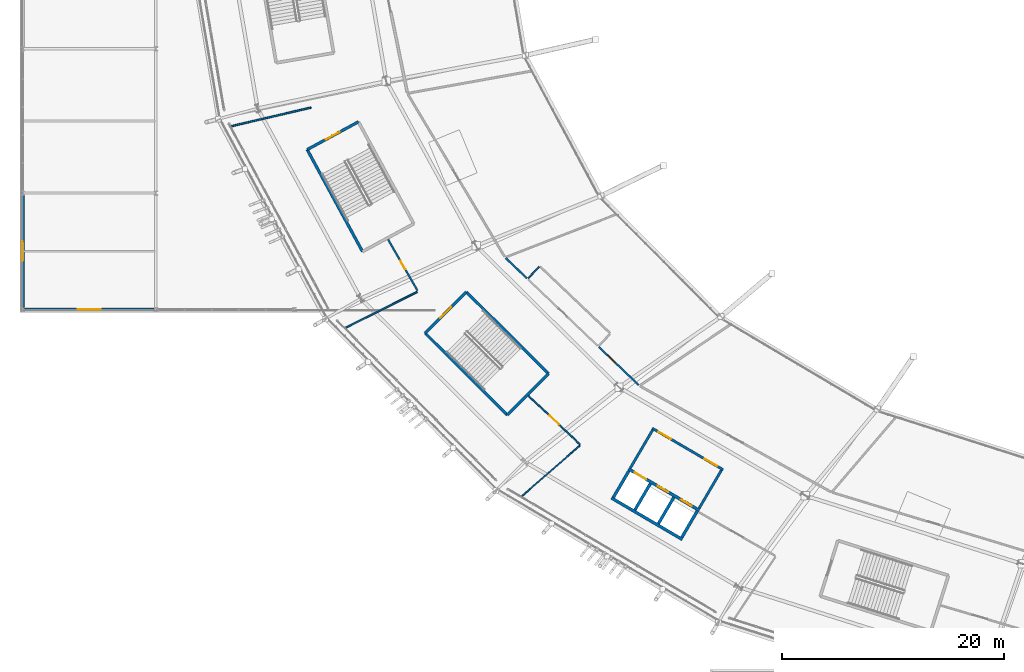
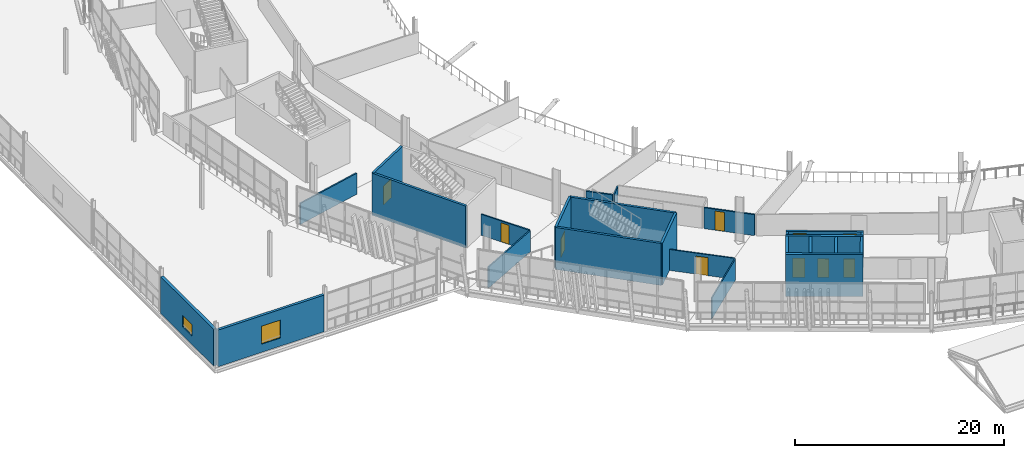
# One storey, part 115 of 168: 25 walls, 10 doors, 2 windows, 12 openings.
"""IFC4 building model written with IfcOpenShell, lengths in metres."""

import ifcopenshell
import ifcopenshell.guid

model = None  # the IFC model being written
_history = None  # IfcOwnerHistory: only IFC2X3 demands one
_inside = {}  # id of a spatial element -> (the spatial element, [elements in it])
_under = {}  # id of a project, library or spatial element -> (it, [spatial elements below it])
_declared = {}  # id of a project -> (the project, [libraries it declares])
_typed = {}  # id of a type object -> (the type object, [elements of that type])
_made_of = {}  # id of a material, layer set ... -> (it, [elements and type objects made of it])


def new_model(schema):
    """Start an empty IFC model of exactly this schema.

    Asked for "IFC4X3", IfcOpenShell would pick the latest addendum, in which some entities
    have other attributes; the version numbers below select the first issue.
    IFC2X3 requires an IfcOwnerHistory on every rooted entity: one is made here for all.
    """
    global model, _history
    if schema == "IFC4X3":
        model = ifcopenshell.file(schema_version=(4, 3, 0, 0))
    else:
        model = ifcopenshell.file(schema=schema)
    _inside.clear()
    _under.clear()
    _declared.clear()
    _typed.clear()
    _made_of.clear()
    _history = None
    if model.schema == "IFC2X3":
        org = make("IfcOrganization", Name="unknown")
        user = make(
            "IfcPersonAndOrganization",
            ThePerson=make("IfcPerson", FamilyName="unknown"),
            TheOrganization=org,
        )
        app = make(
            "IfcApplication",
            ApplicationDeveloper=org,
            Version="unknown",
            ApplicationFullName="unknown",
            ApplicationIdentifier="unknown",
        )
        _history = make(
            "IfcOwnerHistory",
            OwningUser=user,
            OwningApplication=app,
            ChangeAction="ADDED",
            CreationDate=0,
        )
    return model


def make(cls, **values):
    """One entity of the class cls with the attributes given. An attribute that is None is left unset."""
    return model.create_entity(
        cls, **{name: value for name, value in values.items() if value is not None}
    )


def rooted(cls, **values):
    """An entity with a GlobalId (a new one), such as an element, a storey or a relation."""
    return make(cls, GlobalId=ifcopenshell.guid.new(), OwnerHistory=_history, **values)


def si_unit(unit_type, name, prefix=None):
    """IfcSIUnit, for example si_unit("LENGTHUNIT", "METRE", prefix="MILLI")."""
    return make("IfcSIUnit", UnitType=unit_type, Prefix=prefix, Name=name)


def assignment(units):
    """IfcUnitAssignment: the units of a project."""
    return None if units is None else make("IfcUnitAssignment", Units=units)


def point(xyz):
    """IfcCartesianPoint."""
    return None if xyz is None else make("IfcCartesianPoint", Coordinates=xyz)


def direction(xyz):
    """IfcDirection."""
    return None if xyz is None else make("IfcDirection", DirectionRatios=xyz)


def frame(location, z_axis=None, x_axis=None):
    """IfcAxis2Placement3D, a coordinate frame: its origin and axes. An axis left out is left unset."""
    return make(
        "IfcAxis2Placement3D",
        Location=point(location),
        Axis=direction(z_axis),
        RefDirection=direction(x_axis),
    )


def frame_2d(location, x_axis=None):
    """IfcAxis2Placement2D, a coordinate frame in the plane: its origin and x axis."""
    return make(
        "IfcAxis2Placement2D", Location=point(location), RefDirection=direction(x_axis)
    )


def origin():
    """The frame at (0, 0, 0) with its axes left unset."""
    return frame((0.0, 0.0, 0.0))


def place(relative_to, where):
    """IfcLocalPlacement: puts the frame where relative to a parent placement (None: the world)."""
    return make(
        "IfcLocalPlacement", PlacementRelTo=relative_to, RelativePlacement=where
    )


def context(
    kind, dimensions, precision=None, world=None, true_north=None, identifier=None
):
    """IfcGeometricRepresentationContext, for example the 3D "Model" context."""
    return make(
        "IfcGeometricRepresentationContext",
        ContextIdentifier=identifier,
        ContextType=kind,
        CoordinateSpaceDimension=dimensions,
        Precision=precision,
        WorldCoordinateSystem=world,
        TrueNorth=true_north,
    )


def subcontext(parent, identifier, kind, view, scale=None):
    """IfcGeometricRepresentationSubContext, for example "Body" below "Model"."""
    return make(
        "IfcGeometricRepresentationSubContext",
        ContextIdentifier=identifier,
        ContextType=kind,
        ParentContext=parent,
        TargetScale=scale,
        TargetView=view,
    )


def project(units=None, contexts=None):
    """IfcProject with its units and contexts."""
    return rooted(
        "IfcProject",
        Name="project",
        RepresentationContexts=contexts,
        UnitsInContext=assignment(units),
    )


def spatial(cls, under=None, at=None, **own):
    """A site, building, storey or space (cls), placed at a placement, below another one or the project."""
    s = rooted(cls, ObjectPlacement=at, **own)
    if under is not None:
        _under.setdefault(under.id(), (under, []))[1].append(s)
    return s


def profile(cls, at=None, kind="AREA", **sizes):
    """A parametric profile (cls). Its sizes go by their IFC names, for example OverallWidth=200.0."""
    return make(cls, ProfileType=kind, Position=at, **sizes)


def rectangle(**sizes):
    """IfcRectangleProfileDef."""
    return profile("IfcRectangleProfileDef", **sizes)


def extrude(swept, where, along, depth):
    """IfcExtrudedAreaSolid: the profile swept, set in the frame where, extruded along a direction by depth."""
    return make(
        "IfcExtrudedAreaSolid",
        SweptArea=swept,
        Position=where,
        ExtrudedDirection=direction(along),
        Depth=depth,
    )


def shape(context_of_items, identifier, shape_type, items):
    """IfcShapeRepresentation: the items that make up one representation, for example the "Body"."""
    return make(
        "IfcShapeRepresentation",
        ContextOfItems=context_of_items,
        RepresentationIdentifier=identifier,
        RepresentationType=shape_type,
        Items=items,
    )


def material(Name=None, Category=None):
    """IfcMaterial."""
    return make("IfcMaterial", Name=Name, Category=Category)


def layer(
    of_material, thickness, ventilated=None, Name=None, Category=None, Priority=None
):
    """IfcMaterialLayer: one layer of a wall or slab, of a material (None: an air gap)."""
    return make(
        "IfcMaterialLayer",
        Material=of_material,
        LayerThickness=thickness,
        IsVentilated=ventilated,
        Name=Name,
        Category=Category,
        Priority=Priority,
    )


def layer_set(layers, Name=None):
    """IfcMaterialLayerSet."""
    return make("IfcMaterialLayerSet", MaterialLayers=layers, LayerSetName=Name)


def made_of(thing, what):
    """Note that an element or type object is made of a material, layer set ...; save() writes the relation."""
    if what is not None:
        _made_of.setdefault(what.id(), (what, []))[1].append(thing)
    return thing


def type_object(cls, material=None, **own):
    """A type object (cls), such as IfcWallType, which elements share."""
    return made_of(rooted(cls, **own), material)


def element(
    cls,
    number,
    at=None,
    inside=None,
    cuts=None,
    type_object=None,
    material=None,
    context=None,
    identifier="Body",
    shape_type=None,
    held_by="IfcProductDefinitionShape",
    body=None,
    shapes=None,
    **own,
):
    """One element of the class cls, such as IfcWall. Its Tag is "e" and its number.

    at: its placement. inside: the storey or other place that contains it. cuts: it is an
    opening in that element (IfcRelVoidsElement). A single representation is given by context,
    identifier, shape_type and body (its items); several are given by shapes. held_by: the class
    of the entity that holds the representations. save() writes the other relations.
    """
    e = rooted(cls, Tag="e%d" % number, ObjectPlacement=at, **own)
    if body is not None:
        shapes = [shape(context, identifier, shape_type, body)]
    if shapes is not None:
        e.Representation = make(held_by, Representations=shapes)
    if inside is not None:
        _inside.setdefault(inside.id(), (inside, []))[1].append(e)
    if cuts is not None:
        rooted(
            "IfcRelVoidsElement", RelatingBuildingElement=cuts, RelatedOpeningElement=e
        )
    if type_object is not None:
        _typed.setdefault(type_object.id(), (type_object, []))[1].append(e)
    return made_of(e, material)


def fill(opening, filler):
    """IfcRelFillsElement: the door or window that sits in an opening."""
    return rooted(
        "IfcRelFillsElement",
        RelatingOpeningElement=opening,
        RelatedBuildingElement=filler,
    )


def aggregate(whole, parts):
    """IfcRelAggregates: a whole, such as a stair, and the parts it consists of."""
    return rooted("IfcRelAggregates", RelatingObject=whole, RelatedObjects=parts)


def save(model, path):
    """Write the relations noted so far, then the file.

    IfcRelAggregates (storeys below a building ...), IfcRelContainedInSpatialStructure (elements
    in a storey), IfcRelDefinesByType, IfcRelAssociatesMaterial and IfcRelDeclares: one each for
    every whole, place, type object, material and project.
    """
    for whole, parts in _under.values():
        aggregate(whole, parts)
    for where, things in _inside.values():
        rooted(
            "IfcRelContainedInSpatialStructure",
            RelatedElements=things,
            RelatingStructure=where,
        )
    for kind, things in _typed.values():
        rooted("IfcRelDefinesByType", RelatedObjects=things, RelatingType=kind)
    for what, things in _made_of.values():
        rooted("IfcRelAssociatesMaterial", RelatedObjects=things, RelatingMaterial=what)
    for by, libraries in _declared.values():
        rooted("IfcRelDeclares", RelatingContext=by, RelatedDefinitions=libraries)
    model.write(path)


model = new_model("IFC4")

# Units and contexts
model_context = context("Model", 3, precision=1e-05, world=origin(), true_north=direction((0.0, 1.0)))
body_context = subcontext(model_context, "Body", "Model", "MODEL_VIEW")
ifc_project = project(units=[si_unit("LENGTHUNIT", "METRE"), si_unit("AREAUNIT", "SQUARE_METRE"), si_unit("VOLUMEUNIT", "CUBIC_METRE"), si_unit("PLANEANGLEUNIT", "RADIAN"), si_unit("MASSUNIT", "GRAM", prefix="KILO")], contexts=[model_context])

# Site, building, storey
site_placement = place(None, origin())
site = spatial("IfcSite", under=ifc_project, at=site_placement, CompositionType="ELEMENT")
building_placement = place(site_placement, origin())
building = spatial("IfcBuilding", under=site, at=building_placement, Name="Zlatoyarsky Gate Stadium", CompositionType="ELEMENT")
storey_placement = place(building_placement, frame((0.0, 0.0, 15.60009765625)))
storey = spatial("IfcBuildingStorey", under=building, at=storey_placement, Name="L03", CompositionType="ELEMENT", Elevation=15.60009765625)

# Walls
ifc_material_1 = material(Name="Double-stud acoustic gypsum partition", Category="gypsum")
ifc_layer_1 = layer(ifc_material_1, 0.169921875)
ifc_layer_set_1 = layer_set([ifc_layer_1], Name="Double-stud acoustic gypsum partition")
wall_type_1 = type_object("IfcWallType", Name="ACOUSTIC BROADCAST STUDIO WALL 170", PredefinedType="PARTITIONING", material=ifc_layer_set_1)
wall_1_placement = place(storey_placement, frame((43.517578125, 48.14501953125, 0.0), z_axis=(0.0, 0.0, 1.0), x_axis=(0.723347113938, -0.690484578218, 0.0)))
element("IfcWall", 1, at=wall_1_placement, inside=storey, type_object=wall_type_1, Name="L03 interior partition PRT-L03-WCL-14", PredefinedType="PARTITIONING", context=body_context, shape_type="SweptSolid", body=[
    extrude(rectangle(XDim=2.6298828125, YDim=0.169921875, at=frame_2d((1.31494140625, 0.0))), origin(), (0.0, 0.0, 1.0), 2.449951171875),
])
ifc_material_2 = material(Name="Moisture-resistant masonry partition", Category="masonry")
ifc_layer_2 = layer(ifc_material_2, 0.139892578125)
ifc_layer_set_2 = layer_set([ifc_layer_2], Name="Moisture-resistant masonry partition")
wall_type_2 = type_object("IfcWallType", Name="ATHLETE CHANGING BLOCK PARTITION 140", PredefinedType="PARTITIONING", material=ifc_layer_set_2)
wall_2_placement = place(storey_placement, frame((35.537841796875, 45.098876953125, 0.0), z_axis=(0.0, 0.0, 1.0), x_axis=(-0.893748311222, -0.448568786463, 0.0)))
element("IfcWall", 2, at=wall_2_placement, inside=storey, type_object=wall_type_2, Name="L03 interior partition PRT-L03-ORD-13R", PredefinedType="PARTITIONING", context=body_context, shape_type="SweptSolid", body=[
    extrude(rectangle(XDim=7.203369140625, YDim=0.139892578125, at=frame_2d((3.6015625, 0.0))), origin(), (0.0, 0.0, 1.0), 2.449951171875),
])
ifc_material_3 = material(Name="Metal-stud gypsum partition", Category="gypsum")
ifc_layer_3 = layer(ifc_material_3, 0.14990234375)
ifc_layer_set_3 = layer_set([ifc_layer_3], Name="Metal-stud gypsum partition")
wall_type_3 = type_object("IfcWallType", Name="CONCOURSE CORRIDOR PARTITION 150", PredefinedType="PARTITIONING", material=ifc_layer_set_3)
wall_3_placement = place(storey_placement, frame((25.98291015625, 61.701416015625, 0.0), z_axis=(0.0, 0.0, 1.0), x_axis=(-0.973947343216, -0.226774276855, 0.0)))
element("IfcWall", 3, at=wall_3_placement, inside=storey, type_object=wall_type_3, Name="L03 interior partition PRT-L03-ORD-13L", PredefinedType="PARTITIONING", context=body_context, shape_type="SweptSolid", body=[
    extrude(rectangle(XDim=7.37353515625, YDim=0.14990234375, at=frame_2d((3.686767578125, 0.0))), origin(), (0.0, 0.0, 1.0), 2.449951171875),
])
ifc_material_4 = material(Name="Concrete C40/50", Category="concrete")
ifc_layer_4 = layer(ifc_material_4, 0.27001953125)
ifc_layer_set_4 = layer_set([ifc_layer_4], Name="Concrete C40/50")
wall_type_4 = type_object("IfcWallType", Name="CONCRETE LIFT SHAFT SHEAR WALL 270", PredefinedType="SHEAR", material=ifc_layer_set_4)
wall_4_placement = place(storey_placement, frame((53.037353515625, 26.541015625, 0.0), z_axis=(0.0, 0.0, 1.0), x_axis=(0.862865684113, -0.505433290534, 0.0)))
element("IfcWall", 4, at=wall_4_placement, inside=storey, type_object=wall_type_4, Name="C3 L03 lift shaft rear wall", PredefinedType="SHEAR", context=body_context, shape_type="SweptSolid", body=[
    extrude(rectangle(XDim=7.400146484375, YDim=0.27001953125, at=frame_2d((3.7001953125, 0.0))), origin(), (0.0, 0.0, 1.0), 4.89990234375),
])
for number, where, z_axis, x_axis, name in (
    (5, (53.227294921875, 26.597900390625, 0.0), (0.0, 0.0, 1.0), (0.505465660416, 0.862846722275, 0.0), "C3 L03 lift shaft left wall"),
    (6, (59.37939453125, 22.993896484375, 0.0), (0.0, 0.0, 1.0), (0.505465660416, 0.862846722275, 0.0), "C3 L03 lift shaft right wall"),
):
    element("IfcWall", number, at=place(storey_placement, frame(where, z_axis=z_axis, x_axis=x_axis)), inside=storey, type_object=wall_type_4, Name=name, PredefinedType="SHEAR", context=body_context, shape_type="SweptSolid", body=[
        extrude(rectangle(XDim=2.739990234375, YDim=0.27001953125, at=frame_2d((1.3701171875, 0.0))), origin(), (0.0, 0.0, 1.0), 4.89990234375),
    ])
wall_5_placement = place(storey_placement, frame((55.159912109375, 25.4658203125, 0.0), z_axis=(0.0, 0.0, 1.0), x_axis=(0.505504523015, 0.862823954936, 0.0)))
element("IfcWall", 7, at=wall_5_placement, inside=storey, type_object=wall_type_4, Name="C3 L03 lift shaft divider 1", PredefinedType="SHEAR", context=body_context, shape_type="SweptSolid", body=[
    extrude(rectangle(XDim=2.73974609375, YDim=0.27001953125, at=frame_2d((1.369873046875, 0.0))), origin(), (0.0, 0.0, 1.0), 4.89990234375),
])
wall_6_placement = place(storey_placement, frame((57.27392578125, 24.227294921875, 0.0), z_axis=(0.0, 0.0, 1.0), x_axis=(0.505465660416, 0.862846722275, 0.0)))
element("IfcWall", 8, at=wall_6_placement, inside=storey, type_object=wall_type_4, Name="C3 L03 lift shaft divider 2", PredefinedType="SHEAR", context=body_context, shape_type="SweptSolid", body=[
    extrude(rectangle(XDim=2.739990234375, YDim=0.27001953125, at=frame_2d((1.3701171875, 0.0))), origin(), (0.0, 0.0, 1.0), 4.89990234375),
])

# Wall, openings, doors
wall_7_placement = place(storey_placement, frame((54.569091796875, 29.155517578125, 0.0), z_axis=(0.0, 0.0, 1.0), x_axis=(0.862842866418, -0.505472242434, 0.0)))
wall_7 = element("IfcWall", 9, at=wall_7_placement, inside=storey, type_object=wall_type_4, Name="C3 L03 lift landing front wall", PredefinedType="SHEAR", context=body_context, shape_type="SweptSolid", body=[
    extrude(rectangle(XDim=7.39990234375, YDim=0.27001953125, at=frame_2d((3.699951171875, 0.0))), origin(), (0.0, 0.0, 1.0), 4.89990234375),
])
opening_1_placement = place(wall_7_placement, frame((0.64990234375, 0.0, 0.0)))
opening_1 = element("IfcOpeningElement", 10, at=opening_1_placement, cuts=wall_7, Name="Opening LD-FL-03-L03", PredefinedType="OPENING", context=body_context, shape_type="SweptSolid", body=[
    extrude(rectangle(XDim=1.199951171875, YDim=2.25, at=frame_2d((0.60009765625, 1.125))), frame((0.0, 0.14501953125, 0.0), z_axis=(0.0, -1.0, 0.0), x_axis=(1.0, 0.0, 0.0)), (0.0, 0.0, 1.0), 0.2900390625),
])
opening_2_placement = place(wall_7_placement, frame((3.050048828125, 0.0, 0.0)))
opening_2 = element("IfcOpeningElement", 11, at=opening_2_placement, cuts=wall_7, Name="Opening LD-LF-05-L03", PredefinedType="OPENING", context=body_context, shape_type="SweptSolid", body=[
    extrude(rectangle(XDim=1.10009765625, YDim=2.199951171875, at=frame_2d((0.550048828125, 1.10009765625))), frame((0.0, 0.14501953125, 0.0), z_axis=(0.0, -1.0, 0.0), x_axis=(1.0, 0.0, 0.0)), (0.0, 0.0, 1.0), 0.2900390625),
])
opening_3_placement = place(wall_7_placement, frame((5.5, 0.0, 0.0)))
opening_3 = element("IfcOpeningElement", 12, at=opening_3_placement, cuts=wall_7, Name="Opening LD-LF-06-L03", PredefinedType="OPENING", context=body_context, shape_type="SweptSolid", body=[
    extrude(rectangle(XDim=1.10009765625, YDim=2.199951171875, at=frame_2d((0.550048828125, 1.10009765625))), frame((0.0, 0.14501953125, 0.0), z_axis=(0.0, -1.0, 0.0), x_axis=(1.0, 0.0, 0.0)), (0.0, 0.0, 1.0), 0.2900390625),
])
ifc_material_5 = material(Name="Powder-coated steel fire door", Category="steel")
door_type_1 = type_object("IfcDoorType", Name="STAINLESS LIFT LANDING SLIDING DOOR 1100X2200", OperationType="DOUBLE_DOOR_SLIDING", PredefinedType="DOOR", material=ifc_material_5)
door_1_placement = place(opening_2_placement, origin())
door_1 = element("IfcDoor", 13, at=door_1_placement, inside=storey, type_object=door_type_1, Name="Lift LF-05 L03 sliding landing door", OperationType="DOUBLE_DOOR_SLIDING", OverallHeight=2.199951171875, OverallWidth=1.10009765625, PredefinedType="DOOR", context=body_context, shape_type="SweptSolid", body=[
    extrude(rectangle(XDim=1.10009765625, YDim=2.199951171875, at=frame_2d((0.550048828125, 1.10009765625))), frame((0.0, 0.02490234375, 0.0), z_axis=(0.0, -1.0, 0.0), x_axis=(1.0, 0.0, 0.0)), (0.0, 0.0, 1.0), 0.050048828125),
])
fill(opening_2, door_1)
door_2_placement = place(opening_3_placement, origin())
door_2 = element("IfcDoor", 14, at=door_2_placement, inside=storey, type_object=door_type_1, Name="Lift LF-06 L03 sliding landing door", OperationType="DOUBLE_DOOR_SLIDING", OverallHeight=2.199951171875, OverallWidth=1.10009765625, PredefinedType="DOOR", context=body_context, shape_type="SweptSolid", body=[
    extrude(rectangle(XDim=1.10009765625, YDim=2.199951171875, at=frame_2d((0.550048828125, 1.10009765625))), frame((0.0, 0.02490234375, 0.0), z_axis=(0.0, -1.0, 0.0), x_axis=(1.0, 0.0, 0.0)), (0.0, 0.0, 1.0), 0.050048828125),
])
fill(opening_3, door_2)
door_type_2 = type_object("IfcDoorType", Name="STAINLESS LIFT LANDING SLIDING DOOR 1200X2250", OperationType="DOUBLE_DOOR_SLIDING", PredefinedType="DOOR", material=ifc_material_5)
door_3_placement = place(opening_1_placement, origin())
door_3 = element("IfcDoor", 15, at=door_3_placement, inside=storey, type_object=door_type_2, Name="Lift FL-03 L03 sliding landing door", OperationType="DOUBLE_DOOR_SLIDING", OverallHeight=2.25, OverallWidth=1.199951171875, PredefinedType="DOOR", context=body_context, shape_type="SweptSolid", body=[
    extrude(rectangle(XDim=1.199951171875, YDim=2.25, at=frame_2d((0.60009765625, 1.125))), frame((0.0, 0.02490234375, 0.0), z_axis=(0.0, -1.0, 0.0), x_axis=(1.0, 0.0, 0.0)), (0.0, 0.0, 1.0), 0.050048828125),
])
fill(opening_1, door_3)

# Wall, opening, door
ifc_layer_5 = layer(ifc_material_4, 0.25)
ifc_layer_set_5 = layer_set([ifc_layer_5], Name="Concrete C40/50")
wall_type_5 = type_object("IfcWallType", Name="CONCRETE STAIR CORE SHEAR WALL 250", PredefinedType="SHEAR", material=ifc_layer_set_5)
wall_8_placement = place(storey_placement, frame((39.961181640625, 45.10205078125, 0.0), z_axis=(0.0, 0.0, 1.0), x_axis=(-0.705314141126, -0.708894888067, 0.0)))
wall_8 = element("IfcWall", 16, at=wall_8_placement, inside=storey, type_object=wall_type_5, Name="ST-08 L03 stair core entrance shear wall", PredefinedType="SHEAR", context=body_context, shape_type="SweptSolid", body=[
    extrude(rectangle(XDim=5.25, YDim=0.25, at=frame_2d((2.625, 0.0))), origin(), (0.0, 0.0, 1.0), 4.89990234375),
])
opening_4_placement = place(wall_8_placement, frame((1.925048828125, 0.0, 0.0)))
opening_4 = element("IfcOpeningElement", 17, at=opening_4_placement, cuts=wall_8, Name="Opening SD-ST-08-L03", PredefinedType="OPENING", context=body_context, shape_type="SweptSolid", body=[
    extrude(rectangle(XDim=1.39990234375, YDim=2.199951171875, at=frame_2d((0.699951171875, 1.10009765625))), frame((0.0, 0.135009765625, 0.0), z_axis=(0.0, -1.0, 0.0), x_axis=(1.0, 0.0, 0.0)), (0.0, 0.0, 1.0), 0.27001953125),
])
door_type_3 = type_object("IfcDoorType", Name="STAIR CORE FIRE EXIT DOOR 1400X2200", OperationType="NOTDEFINED", PredefinedType="DOOR", material=ifc_material_5)
door_4_placement = place(opening_4_placement, frame((1.39990234375, 0.0, 0.0), z_axis=(0.0, 0.0, 1.0), x_axis=(-1.0, 0.0, 0.0)))
door_4 = element("IfcDoor", 18, at=door_4_placement, inside=storey, type_object=door_type_3, Name="ST-08 L03 stair fire door", OperationType="SINGLE_SWING_LEFT", OverallHeight=2.199951171875, OverallWidth=1.39990234375, PredefinedType="DOOR", context=body_context, shape_type="SweptSolid", body=[
    extrude(rectangle(XDim=1.39990234375, YDim=2.199951171875, at=frame_2d((0.699951171875, 1.10009765625))), frame((0.0, 0.02490234375, 0.0), z_axis=(0.0, -1.0, 0.0), x_axis=(1.0, 0.0, 0.0)), (0.0, 0.0, 1.0), 0.050048828125),
])
fill(opening_4, door_4)

# Walls
wall_9_placement = place(storey_placement, frame((36.25830078125, 41.38037109375, 0.0), z_axis=(0.0, 0.0, 1.0), x_axis=(0.708891762409, -0.705317282639, 0.0)))
element("IfcWall", 19, at=wall_9_placement, inside=storey, type_object=wall_type_5, Name="ST-08 L03 stair core left shear wall", PredefinedType="SHEAR", context=body_context, shape_type="SweptSolid", body=[
    extrude(rectangle(XDim=10.449951171875, YDim=0.25, at=frame_2d((5.22509765625, 0.0))), origin(), (0.0, 0.0, 1.0), 4.89990234375),
])
wall_10_placement = place(storey_placement, frame((43.666259765625, 34.009765625, 0.0), z_axis=(0.0, 0.0, 1.0), x_axis=(0.705314141126, 0.708894888067, 0.0)))
element("IfcWall", 20, at=wall_10_placement, inside=storey, type_object=wall_type_5, Name="ST-08 L03 stair core far shear wall", PredefinedType="SHEAR", context=body_context, shape_type="SweptSolid", body=[
    extrude(rectangle(XDim=5.25, YDim=0.25, at=frame_2d((2.625, 0.0))), origin(), (0.0, 0.0, 1.0), 4.89990234375),
])
wall_11_placement = place(storey_placement, frame((47.369140625, 37.7314453125, 0.0), z_axis=(0.0, 0.0, 1.0), x_axis=(-0.708891762409, 0.705317282639, 0.0)))
element("IfcWall", 21, at=wall_11_placement, inside=storey, type_object=wall_type_5, Name="ST-08 L03 stair core right shear wall", PredefinedType="SHEAR", context=body_context, shape_type="SweptSolid", body=[
    extrude(rectangle(XDim=10.449951171875, YDim=0.25, at=frame_2d((5.22509765625, 0.0))), origin(), (0.0, 0.0, 1.0), 4.89990234375),
])

# Wall, opening, door
wall_12_placement = place(storey_placement, frame((30.246337890625, 60.420166015625, 0.0), z_axis=(0.0, 0.0, 1.0), x_axis=(-0.878961487093, -0.47689275965, 0.0)))
wall_12 = element("IfcWall", 22, at=wall_12_placement, inside=storey, type_object=wall_type_5, Name="ST-15 L03 stair core entrance shear wall", PredefinedType="SHEAR", context=body_context, shape_type="SweptSolid", body=[
    extrude(rectangle(XDim=5.25, YDim=0.25, at=frame_2d((2.625, 0.0))), origin(), (0.0, 0.0, 1.0), 4.89990234375),
])
opening_5_placement = place(wall_12_placement, frame((1.925048828125, 0.0, 0.0)))
opening_5 = element("IfcOpeningElement", 23, at=opening_5_placement, cuts=wall_12, Name="Opening SD-ST-15-L03", PredefinedType="OPENING", context=body_context, shape_type="SweptSolid", body=[
    extrude(rectangle(XDim=1.39990234375, YDim=2.199951171875, at=frame_2d((0.699951171875, 1.10009765625))), frame((0.0, 0.135009765625, 0.0), z_axis=(0.0, -1.0, 0.0), x_axis=(1.0, 0.0, 0.0)), (0.0, 0.0, 1.0), 0.27001953125),
])
door_5_placement = place(opening_5_placement, frame((1.39990234375, 0.0, 0.0), z_axis=(0.0, 0.0, 1.0), x_axis=(-1.0, 0.0, 0.0)))
door_5 = element("IfcDoor", 24, at=door_5_placement, inside=storey, type_object=door_type_3, Name="ST-15 L03 stair fire door", OperationType="SINGLE_SWING_LEFT", OverallHeight=2.199951171875, OverallWidth=1.39990234375, PredefinedType="DOOR", context=body_context, shape_type="SweptSolid", body=[
    extrude(rectangle(XDim=1.39990234375, YDim=2.199951171875, at=frame_2d((0.699951171875, 1.10009765625))), frame((0.0, 0.02490234375, 0.0), z_axis=(0.0, -1.0, 0.0), x_axis=(1.0, 0.0, 0.0)), (0.0, 0.0, 1.0), 0.050048828125),
])
fill(opening_5, door_5)

# Walls
wall_13_placement = place(storey_placement, frame((25.6318359375, 57.91650390625, 0.0), z_axis=(0.0, 0.0, 1.0), x_axis=(0.476876856974, -0.878970115125, 0.0)))
element("IfcWall", 25, at=wall_13_placement, inside=storey, type_object=wall_type_5, Name="ST-15 L03 stair core left shear wall", PredefinedType="SHEAR", context=body_context, shape_type="SweptSolid", body=[
    extrude(rectangle(XDim=10.4501953125, YDim=0.25, at=frame_2d((5.22509765625, 0.0))), origin(), (0.0, 0.0, 1.0), 4.89990234375),
])
ifc_material_6 = material(Name="Autoclaved aerated concrete masonry EI 120", Category="masonry")
ifc_layer_6 = layer(ifc_material_6, 0.219970703125)
ifc_layer_set_6 = layer_set([ifc_layer_6], Name="Autoclaved aerated concrete masonry EI 120")
wall_type_6 = type_object("IfcWallType", Name="FIREFIGHTING LOBBY RATED WALL 220", PredefinedType="PARTITIONING", material=ifc_layer_set_6)
for number, where, z_axis, x_axis, name in (
    (26, (54.7421875, 29.233642578125, 0.0), (0.0, 0.0, 1.0), (0.505464443681, 0.862847435051, 0.0), "C3 L03 firefighting lobby left wall"),
    (27, (60.9375, 25.6044921875, 0.0), (0.0, 0.0, 1.0), (0.505464443681, 0.862847435051, 0.0), "C3 L03 firefighting lobby right wall"),
):
    element("IfcWall", number, at=place(storey_placement, frame(where, z_axis=z_axis, x_axis=x_axis)), inside=storey, type_object=wall_type_6, Name=name, PredefinedType="PARTITIONING", context=body_context, shape_type="SweptSolid", body=[
        extrude(rectangle(XDim=3.97998046875, YDim=0.219970703125, at=frame_2d((1.989990234375, 0.0))), origin(), (0.0, 0.0, 1.0), 2.449951171875),
    ])

# Wall, openings, doors
wall_14_placement = place(storey_placement, frame((56.714599609375, 32.818359375, 0.0), z_axis=(0.0, 0.0, 1.0), x_axis=(0.862851295616, -0.505457853488, 0.0)))
wall_14 = element("IfcWall", 28, at=wall_14_placement, inside=storey, type_object=wall_type_6, Name="C3 L03 firefighting lobby front wall", PredefinedType="PARTITIONING", context=body_context, shape_type="SweptSolid", body=[
    extrude(rectangle(XDim=7.400146484375, YDim=0.219970703125, at=frame_2d((3.7001953125, 0.0))), origin(), (0.0, 0.0, 1.0), 2.449951171875),
])
opening_6_placement = place(wall_14_placement, frame((0.64990234375, 0.0, 0.0)))
opening_6 = element("IfcOpeningElement", 29, at=opening_6_placement, cuts=wall_14, Name="Opening FD-C3-L03-A", PredefinedType="OPENING", context=body_context, shape_type="SweptSolid", body=[
    extrude(rectangle(XDim=1.300048828125, YDim=2.199951171875, at=frame_2d((0.64990234375, 1.10009765625))), frame((0.0, 0.119873046875, 0.0), z_axis=(0.0, -1.0, 0.0), x_axis=(1.0, 0.0, 0.0)), (0.0, 0.0, 1.0), 0.239990234375),
])
opening_7_placement = place(wall_14_placement, frame((5.449951171875, 0.0, 0.0)))
opening_7 = element("IfcOpeningElement", 30, at=opening_7_placement, cuts=wall_14, Name="Opening FD-C3-L03-B", PredefinedType="OPENING", context=body_context, shape_type="SweptSolid", body=[
    extrude(rectangle(XDim=1.300048828125, YDim=2.199951171875, at=frame_2d((0.64990234375, 1.10009765625))), frame((0.0, 0.119873046875, 0.0), z_axis=(0.0, -1.0, 0.0), x_axis=(1.0, 0.0, 0.0)), (0.0, 0.0, 1.0), 0.239990234375),
])
door_type_4 = type_object("IfcDoorType", Name="FIREFIGHTING LOBBY FIRE DOOR 1300X2200", OperationType="NOTDEFINED", PredefinedType="DOOR", material=ifc_material_5)
door_6_placement = place(opening_6_placement, origin())
door_6 = element("IfcDoor", 31, at=door_6_placement, inside=storey, type_object=door_type_4, Name="C3 L03 firefighting lobby fire door FD-C3-L03-A", OperationType="SINGLE_SWING_LEFT", OverallHeight=2.199951171875, OverallWidth=1.300048828125, PredefinedType="DOOR", context=body_context, shape_type="SweptSolid", body=[
    extrude(rectangle(XDim=1.300048828125, YDim=2.199951171875, at=frame_2d((0.64990234375, 1.10009765625))), frame((0.0, 0.02490234375, 0.0), z_axis=(0.0, -1.0, 0.0), x_axis=(1.0, 0.0, 0.0)), (0.0, 0.0, 1.0), 0.050048828125),
])
fill(opening_6, door_6)
door_7_placement = place(opening_7_placement, origin())
door_7 = element("IfcDoor", 32, at=door_7_placement, inside=storey, type_object=door_type_4, Name="C3 L03 firefighting lobby fire door FD-C3-L03-B", OperationType="SINGLE_SWING_RIGHT", OverallHeight=2.199951171875, OverallWidth=1.300048828125, PredefinedType="DOOR", context=body_context, shape_type="SweptSolid", body=[
    extrude(rectangle(XDim=1.300048828125, YDim=2.199951171875, at=frame_2d((0.64990234375, 1.10009765625))), frame((0.0, 0.02490234375, 0.0), z_axis=(0.0, -1.0, 0.0), x_axis=(1.0, 0.0, 0.0)), (0.0, 0.0, 1.0), 0.050048828125),
])
fill(opening_7, door_7)

# Wall, opening, door
ifc_material_7 = material(Name="Acoustic metal-stud gypsum partition", Category="gypsum")
ifc_layer_7 = layer(ifc_material_7, 0.159912109375)
ifc_layer_set_7 = layer_set([ifc_layer_7], Name="Acoustic metal-stud gypsum partition")
wall_type_7 = type_object("IfcWallType", Name="HOSPITALITY SUITE PARTITION 160", PredefinedType="PARTITIONING", material=ifc_layer_set_7)
wall_15_placement = place(storey_placement, frame((51.907958984375, 40.135009765625, 0.0), z_axis=(0.0, 0.0, 1.0), x_axis=(0.723287562658, -0.690546958363, 0.0)))
wall_15 = element("IfcWall", 33, at=wall_15_placement, inside=storey, type_object=wall_type_7, Name="L03 interior partition PRT-L03-ICC-14", PredefinedType="PARTITIONING", context=body_context, shape_type="SweptSolid", body=[
    extrude(rectangle(XDim=4.9736328125, YDim=0.159912109375, at=frame_2d((2.48681640625, 0.0))), origin(), (0.0, 0.0, 1.0), 2.449951171875),
])
opening_8_placement = place(wall_15_placement, frame((1.10009765625, 0.0, 0.0)))
opening_8 = element("IfcOpeningElement", 34, at=opening_8_placement, cuts=wall_15, Name="Opening D-L03-431", PredefinedType="OPENING", context=body_context, shape_type="SweptSolid", body=[
    extrude(rectangle(XDim=0.89990234375, YDim=2.239990234375, at=frame_2d((0.449951171875, 1.1201171875))), frame((0.0, 0.08984375, 0.0), z_axis=(0.0, -1.0, 0.0), x_axis=(1.0, 0.0, 0.0)), (0.0, 0.0, 1.0), 0.179931640625),
])
door_type_5 = type_object("IfcDoorType", Name="ACOUSTIC INTERIOR DOOR 900X2240", OperationType="NOTDEFINED", PredefinedType="DOOR", material=ifc_material_5)
door_8_placement = place(opening_8_placement, origin())
door_8 = element("IfcDoor", 35, at=door_8_placement, inside=storey, type_object=door_type_5, Name="L03 room door D-L03-431", OperationType="SINGLE_SWING_LEFT", OverallHeight=2.239990234375, OverallWidth=0.89990234375, PredefinedType="DOOR", context=body_context, shape_type="SweptSolid", body=[
    extrude(rectangle(XDim=0.89990234375, YDim=2.239990234375, at=frame_2d((0.449951171875, 1.1201171875))), frame((0.0, 0.02490234375, 0.0), z_axis=(0.0, -1.0, 0.0), x_axis=(1.0, 0.0, 0.0)), (0.0, 0.0, 1.0), 0.050048828125),
])
fill(opening_8, door_8)

wall_16_placement = place(storey_placement, frame((32.912109375, 49.82958984375, 0.0), z_axis=(0.0, 0.0, 1.0), x_axis=(0.498938381592, -0.86663746248, 0.0)))
wall_16 = element("IfcWall", 36, at=wall_16_placement, inside=storey, type_object=wall_type_7, Name="L03 interior partition PRT-L03-OCC-13-1", PredefinedType="PARTITIONING", context=body_context, shape_type="SweptSolid", body=[
    extrude(rectangle(XDim=5.32958984375, YDim=0.159912109375, at=frame_2d((2.664794921875, 0.0))), origin(), (0.0, 0.0, 1.0), 2.449951171875),
])
opening_9_placement = place(wall_16_placement, frame((2.21484375, 0.0, 0.0)))
opening_9 = element("IfcOpeningElement", 37, at=opening_9_placement, cuts=wall_16, Name="Opening D-L03-471", PredefinedType="OPENING", context=body_context, shape_type="SweptSolid", body=[
    extrude(rectangle(XDim=0.89990234375, YDim=2.239990234375, at=frame_2d((0.449951171875, 1.1201171875))), frame((0.0, 0.08984375, 0.0), z_axis=(0.0, -1.0, 0.0), x_axis=(1.0, 0.0, 0.0)), (0.0, 0.0, 1.0), 0.179931640625),
])
door_9_placement = place(opening_9_placement, origin())
door_9 = element("IfcDoor", 38, at=door_9_placement, inside=storey, type_object=door_type_5, Name="L03 room door D-L03-471", OperationType="SINGLE_SWING_LEFT", OverallHeight=2.239990234375, OverallWidth=0.89990234375, PredefinedType="DOOR", context=body_context, shape_type="SweptSolid", body=[
    extrude(rectangle(XDim=0.89990234375, YDim=2.239990234375, at=frame_2d((0.449951171875, 1.1201171875))), frame((0.0, 0.02490234375, 0.0), z_axis=(0.0, -1.0, 0.0), x_axis=(1.0, 0.0, 0.0)), (0.0, 0.0, 1.0), 0.050048828125),
])
fill(opening_9, door_9)

# Wall, opening, window
ifc_material_8 = material(Name="Precast concrete C40/50 architectural panel", Category="concrete")
ifc_layer_8 = layer(ifc_material_8, 0.280029296875)
ifc_layer_set_8 = layer_set([ifc_layer_8], Name="Precast concrete C40/50 architectural panel")
wall_type_8 = type_object("IfcWallType", Name="INSULATED WING SPANDREL WALL 280", PredefinedType="STANDARD", material=ifc_layer_set_8)
wall_17_placement = place(storey_placement, frame((0.14697265625, 43.5, 0.0), z_axis=(0.0, 0.0, 1.0), x_axis=(1.0, 0.0, 0.0)))
wall_17 = element("IfcWall", 39, at=wall_17_placement, inside=storey, type_object=wall_type_8, Name="V4_WEST L03 S exterior wall", PredefinedType="STANDARD", context=body_context, shape_type="SweptSolid", body=[
    extrude(rectangle(XDim=11.7060546875, YDim=0.280029296875, at=frame_2d((5.85302734375, 0.0))), origin(), (0.0, 0.0, 1.0), 4.27978515625),
])
opening_10_placement = place(wall_17_placement, frame((4.802978515625, 0.0, 0.949951171875)))
opening_10 = element("IfcOpeningElement", 40, at=opening_10_placement, cuts=wall_17, Name="Opening WN-16", PredefinedType="OPENING", context=body_context, shape_type="SweptSolid", body=[
    extrude(rectangle(XDim=2.10009765625, YDim=2.10009765625, at=frame_2d((1.050048828125, 1.050048828125))), frame((0.0, 0.14990234375, 0.0), z_axis=(0.0, -1.0, 0.0), x_axis=(1.0, 0.0, 0.0)), (0.0, 0.0, 1.0), 0.300048828125),
])
ifc_material_9 = material(Name="Triple-glazed thermally broken aluminium window", Category="aluminium")
window_type_1 = type_object("IfcWindowType", Name="TRIPLE GLAZED ALUMINIUM WINDOW 2100X2100", PartitioningType="SINGLE_PANEL", PredefinedType="WINDOW", material=ifc_material_9)
window_1_placement = place(opening_10_placement, origin())
window_1 = element("IfcWindow", 41, at=window_1_placement, inside=storey, type_object=window_type_1, Name="Exterior window WIN-L03-044", OverallHeight=2.10009765625, OverallWidth=2.10009765625, PartitioningType="SINGLE_PANEL", PredefinedType="WINDOW", context=body_context, shape_type="SweptSolid", body=[
    extrude(rectangle(XDim=2.10009765625, YDim=2.10009765625, at=frame_2d((1.050048828125, 1.050048828125))), frame((0.0, 0.030029296875, 0.0), z_axis=(0.0, -1.0, 0.0), x_axis=(1.0, 0.0, 0.0)), (0.0, 0.0, 1.0), 0.06005859375),
])
fill(opening_10, window_1)

# Wall
ifc_layer_9 = layer(ifc_material_3, 0.1201171875)
ifc_layer_set_9 = layer_set([ifc_layer_9], Name="Metal-stud gypsum partition")
wall_type_9 = type_object("IfcWallType", Name="OFFICE AND PRESS PARTITION 120", PredefinedType="PARTITIONING", material=ifc_layer_set_9)
wall_18_placement = place(storey_placement, frame((50.197021484375, 31.25, 0.0), z_axis=(0.0, 0.0, 1.0), x_axis=(-0.7547437232, -0.656019749924, 0.0)))
element("IfcWall", 42, at=wall_18_placement, inside=storey, type_object=wall_type_9, Name="L03 interior partition PRT-L03-ORD-14R", PredefinedType="PARTITIONING", context=body_context, shape_type="SweptSolid", body=[
    extrude(rectangle(XDim=6.958984375, YDim=0.1201171875, at=frame_2d((3.4794921875, 0.0))), origin(), (0.0, 0.0, 1.0), 2.449951171875),
])

# Wall, opening, window
ifc_layer_10 = layer(ifc_material_8, 0.320068359375)
ifc_layer_set_10 = layer_set([ifc_layer_10], Name="Precast concrete C40/50 architectural panel")
wall_type_10 = type_object("IfcWallType", Name="PRECAST TERRACOTTA FACADE WALL 320", PredefinedType="STANDARD", material=ifc_layer_set_10)
wall_19_placement = place(storey_placement, frame((0.0, 43.677001953125, 0.0), z_axis=(0.0, 0.0, 1.0), x_axis=(0.0, 1.0, 0.0)))
wall_19 = element("IfcWall", 43, at=wall_19_placement, inside=storey, type_object=wall_type_10, Name="V4_WEST L03 W_LO exterior wall", PredefinedType="STANDARD", context=body_context, shape_type="SweptSolid", body=[
    extrude(rectangle(XDim=10.14599609375, YDim=0.320068359375, at=frame_2d((5.072998046875, 0.0))), origin(), (0.0, 0.0, 1.0), 4.27978515625),
])
opening_11_placement = place(wall_19_placement, frame((4.173095703125, 0.0, 0.949951171875)))
opening_11 = element("IfcOpeningElement", 44, at=opening_11_placement, cuts=wall_19, Name="Opening WN-09", PredefinedType="OPENING", context=body_context, shape_type="SweptSolid", body=[
    extrude(rectangle(XDim=1.800048828125, YDim=1.35009765625, at=frame_2d((0.89990234375, 0.675048828125))), frame((0.0, 0.169921875, 0.0), z_axis=(0.0, -1.0, 0.0), x_axis=(1.0, 0.0, 0.0)), (0.0, 0.0, 1.0), 0.340087890625),
])
window_type_2 = type_object("IfcWindowType", Name="TRIPLE GLAZED ALUMINIUM WINDOW 1800X1350", PartitioningType="SINGLE_PANEL", PredefinedType="WINDOW", material=ifc_material_9)
window_2_placement = place(opening_11_placement, origin())
window_2 = element("IfcWindow", 45, at=window_2_placement, inside=storey, type_object=window_type_2, Name="Exterior window WIN-L03-037", OverallHeight=1.35009765625, OverallWidth=1.800048828125, PartitioningType="SINGLE_PANEL", PredefinedType="WINDOW", context=body_context, shape_type="SweptSolid", body=[
    extrude(rectangle(XDim=1.800048828125, YDim=1.35009765625, at=frame_2d((0.89990234375, 0.675048828125))), frame((0.0, 0.030029296875, 0.0), z_axis=(0.0, -1.0, 0.0), x_axis=(1.0, 0.0, 0.0)), (0.0, 0.0, 1.0), 0.06005859375),
])
fill(opening_11, window_2)

# Wall
ifc_material_10 = material(Name="Moisture-resistant tile-backed partition", Category="gypsum")
ifc_layer_11 = layer(ifc_material_10, 0.1298828125)
ifc_layer_set_11 = layer_set([ifc_layer_11], Name="Moisture-resistant tile-backed partition")
wall_type_11 = type_object("IfcWallType", Name="SANITARY WET ROOM PARTITION 130", PredefinedType="PARTITIONING", material=ifc_layer_set_11)
wall_20_placement = place(storey_placement, frame((45.5400390625, 46.331787109375, 0.0), z_axis=(0.0, 0.0, 1.0), x_axis=(0.690528527034, 0.723305159219, 0.0)))
element("IfcWall", 46, at=wall_20_placement, inside=storey, type_object=wall_type_11, Name="L03 interior partition PRT-L03-WC14-L", PredefinedType="PARTITIONING", context=body_context, shape_type="SweptSolid", body=[
    extrude(rectangle(XDim=1.43017578125, YDim=0.1298828125, at=frame_2d((0.715087890625, 0.0))), origin(), (0.0, 0.0, 1.0), 2.449951171875),
])

# Wall, opening, door
wall_21_placement = place(storey_placement, frame((45.568359375, 35.737060546875, 0.0), z_axis=(0.0, 0.0, 1.0), x_axis=(0.727092872765, -0.686539113506, 0.0)))
wall_21 = element("IfcWall", 47, at=wall_21_placement, inside=storey, type_object=wall_type_11, Name="L03 interior partition PRT-L03-OCC-14-1", PredefinedType="PARTITIONING", context=body_context, shape_type="SweptSolid", body=[
    extrude(rectangle(XDim=6.369384765625, YDim=0.1298828125, at=frame_2d((3.1845703125, 0.0))), origin(), (0.0, 0.0, 1.0), 2.449951171875),
])
opening_12_placement = place(wall_21_placement, frame((2.604736328125, 0.0, 0.0)))
opening_12 = element("IfcOpeningElement", 48, at=opening_12_placement, cuts=wall_21, Name="Opening D-L03-474", PredefinedType="OPENING", context=body_context, shape_type="SweptSolid", body=[
    extrude(rectangle(XDim=1.159912109375, YDim=2.10009765625, at=frame_2d((0.580078125, 1.050048828125))), frame((0.0, 0.074951171875, 0.0), z_axis=(0.0, -1.0, 0.0), x_axis=(1.0, 0.0, 0.0)), (0.0, 0.0, 1.0), 0.14990234375),
])
ifc_material_11 = material(Name="Solid-core oak veneer acoustic door", Category="wood")
door_type_6 = type_object("IfcDoorType", Name="ACOUSTIC INTERIOR DOOR 1160X2100", OperationType="NOTDEFINED", PredefinedType="DOOR", material=ifc_material_11)
door_10_placement = place(opening_12_placement, origin())
door_10 = element("IfcDoor", 49, at=door_10_placement, inside=storey, type_object=door_type_6, Name="L03 room door D-L03-474", OperationType="SINGLE_SWING_RIGHT", OverallHeight=2.10009765625, OverallWidth=1.159912109375, PredefinedType="DOOR", context=body_context, shape_type="SweptSolid", body=[
    extrude(rectangle(XDim=1.159912109375, YDim=2.10009765625, at=frame_2d((0.580078125, 1.050048828125))), frame((0.0, 0.02490234375, 0.0), z_axis=(0.0, -1.0, 0.0), x_axis=(1.0, 0.0, 0.0)), (0.0, 0.0, 1.0), 0.050048828125),
])
fill(opening_12, door_10)

save(model, "model.ifc")
